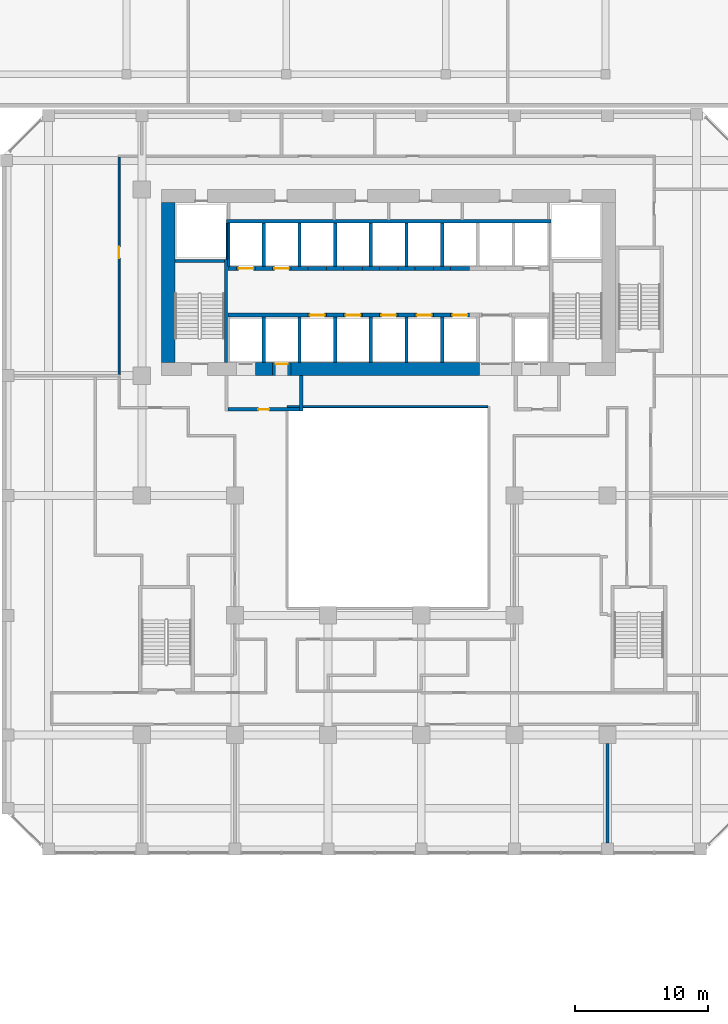
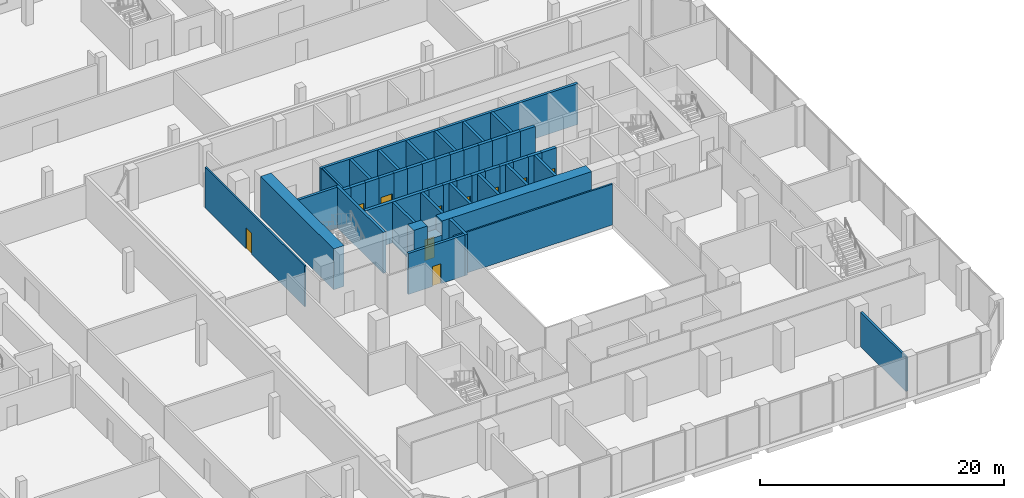
# One storey, part 18 of 36: 50 walls, 10 doors, 10 openings.
"""IFC4 building model written with IfcOpenShell, lengths in metres."""

from ifc_helpers import new_model, si_unit, direction, frame, frame_2d, origin, place, context, subcontext, project, spatial, rectangle, extrude, source, transform, mapped, material, layer, layer_set, type_object, element, fill, save


model = new_model("IFC4")

# Units and contexts
model_context = context("Model", 3, precision=1e-05, world=origin(), true_north=direction((0.0, 1.0)))
body_context = subcontext(model_context, "Body", "Model", "MODEL_VIEW")
ifc_project = project(units=[si_unit("LENGTHUNIT", "METRE"), si_unit("AREAUNIT", "SQUARE_METRE"), si_unit("VOLUMEUNIT", "CUBIC_METRE"), si_unit("PLANEANGLEUNIT", "RADIAN"), si_unit("MASSUNIT", "GRAM", prefix="KILO")], contexts=[model_context])

# Site, building, storey
site_placement = place(None, origin())
site = spatial("IfcSite", under=ifc_project, at=site_placement, CompositionType="ELEMENT")
building_placement = place(site_placement, origin())
building = spatial("IfcBuilding", under=site, at=building_placement, Name="Kilnfold Tower and Market Hall", CompositionType="ELEMENT")
storey_placement = place(building_placement, frame((0.0, 0.0, 18.0)))
storey = spatial("IfcBuildingStorey", under=building, at=storey_placement, Name="L03", CompositionType="ELEMENT", Elevation=18.0)

# Wall
ifc_material_1 = material(Name="Fire-resisting glazed screen")
ifc_layer_1 = layer(ifc_material_1, 0.14990234375)
ifc_layer_set_1 = layer_set([ifc_layer_1], Name="Fire-resisting glazed screen")
wall_type_1 = type_object("IfcWallType", Name="WALL ATRIUM 150", PredefinedType="PARTITIONING", material=ifc_layer_set_1)
wall_1_placement = place(storey_placement, frame((-6.574951171875, 5.675048828125, 0.0), z_axis=(0.0, 0.0, 1.0), x_axis=(1.0, 0.0, 0.0)))
element("IfcWall", 1, at=wall_1_placement, inside=storey, type_object=wall_type_1, Name="Partition LY04.68", PredefinedType="PARTITIONING", context=body_context, shape_type="SweptSolid", body=[
    extrude(rectangle(XDim=15.074951171875, YDim=0.14990234375, at=frame_2d((7.53759765625, 0.0))), origin(), (0.0, 0.0, 1.0), 4.10009765625),
])

# Wall, opening, door
ifc_material_2 = material(Name="Gypsum board on steel studs", Category="steel")
ifc_layer_2 = layer(ifc_material_2, 0.14990234375)
ifc_layer_set_2 = layer_set([ifc_layer_2], Name="Gypsum board on steel studs")
wall_type_2 = type_object("IfcWallType", Name="WALL CORRIDOR 150", PredefinedType="PARTITIONING", material=ifc_layer_set_2)
wall_2_placement = place(storey_placement, frame((-19.199951171875, 8.090087890625, 0.0), z_axis=(0.0, 0.0, 1.0), x_axis=(0.0, 1.0, 0.0)))
wall_2 = element("IfcWall", 2, at=wall_2_placement, inside=storey, type_object=wall_type_2, Name="Partition LY04.34", PredefinedType="PARTITIONING", context=body_context, shape_type="SweptSolid", body=[
    extrude(rectangle(XDim=16.3349609375, YDim=0.14990234375, at=frame_2d((8.16748046875, 0.0))), origin(), (0.0, 0.0, 1.0), 4.10009765625),
])
opening_1_placement = place(wall_2_placement, frame((8.719970703125, 0.0, 0.0)))
opening_1 = element("IfcOpeningElement", 3, at=opening_1_placement, cuts=wall_2, Name="Opening D2", PredefinedType="OPENING", context=body_context, shape_type="SweptSolid", body=[
    extrude(rectangle(XDim=0.89990234375, YDim=2.10009765625, at=frame_2d((0.449951171875, 1.050048828125))), frame((0.0, 0.0849609375, 0.0), z_axis=(0.0, -1.0, 0.0), x_axis=(1.0, 0.0, 0.0)), (0.0, 0.0, 1.0), 0.169921875),
])
ifc_material_3 = material(Name="Timber veneer door leaf in steel frame", Category="steel")
door_type_1 = type_object("IfcDoorType", Name="DOOR ROOM 900 X2100", OperationType="NOTDEFINED", PredefinedType="DOOR", material=ifc_material_3)
door_1_placement = place(opening_1_placement, origin())
door_1 = element("IfcDoor", 4, at=door_1_placement, inside=storey, type_object=door_type_1, Name="Door D2", OperationType="SINGLE_SWING_RIGHT", OverallHeight=2.10009765625, OverallWidth=0.89990234375, PredefinedType="DOOR", context=body_context, shape_type="SweptSolid", body=[
    extrude(rectangle(XDim=0.89990234375, YDim=2.10009765625, at=frame_2d((0.449951171875, 1.050048828125))), frame((0.0, 0.02490234375, 0.0), z_axis=(0.0, -1.0, 0.0), x_axis=(1.0, 0.0, 0.0)), (0.0, 0.0, 1.0), 0.050048828125),
])
fill(opening_1, door_1)

# Walls
ifc_material_4 = material(Name="Gypsum board on steel studs", Category="steel")
ifc_layer_3 = layer(ifc_material_4, 0.199951171875)
ifc_layer_set_3 = layer_set([ifc_layer_3], Name="Gypsum board on steel studs")
wall_type_3 = type_object("IfcWallType", Name="WALL PARTY 200", PredefinedType="PARTITIONING", material=ifc_layer_set_3)
wall_3_placement = place(storey_placement, frame((17.5, -27.10009765625, 0.0), z_axis=(0.0, 0.0, 1.0), x_axis=(0.0, 1.0, 0.0)))
element("IfcWall", 5, at=wall_3_placement, inside=storey, type_object=wall_type_3, Name="Partition LY04.37", PredefinedType="PARTITIONING", context=body_context, shape_type="SweptSolid", body=[
    extrude(rectangle(XDim=7.4501953125, YDim=0.199951171875, at=frame_2d((3.72509765625, 0.0))), origin(), (0.0, 0.0, 1.0), 3.449951171875),
])
ifc_material_5 = material(Name="Concrete C80", Category="concrete")
ifc_layer_4 = layer(ifc_material_5, 1.0)
ifc_layer_set_4 = layer_set([ifc_layer_4], Name="Concrete C80")
wall_type_4 = type_object("IfcWallType", Name="CORE WALL 1000 C80", PredefinedType="SHEAR", material=ifc_layer_set_4)
shared_shape_1 = source(origin(), body_context, "Body", "SweptSolid", [
    extrude(rectangle(XDim=1.280029296875, YDim=1.0, at=frame_2d((0.64013671875, 0.0))), origin(), (0.0, 0.0, 1.0), 4.10009765625),
])
wall_4_placement = place(storey_placement, frame((-8.969970703125, 8.5, 0.0), z_axis=(0.0, 0.0, 1.0), x_axis=(1.0, 0.0, 0.0)))
element("IfcWall", 6, at=wall_4_placement, inside=storey, type_object=wall_type_4, Name="Core outer wall south", PredefinedType="SHEAR", context=body_context, shape_type="MappedRepresentation", body=[
    mapped(shared_shape_1, transform((0.0, 0.0, 0.0))),
])
shared_shape_2 = source(origin(), body_context, "Body", "SweptSolid", [
    extrude(rectangle(XDim=14.179931640625, YDim=1.0, at=frame_2d((7.08984375, 0.0))), origin(), (0.0, 0.0, 1.0), 4.10009765625),
])
wall_5_placement = place(storey_placement, frame((-6.2900390625, 8.5, 0.0), z_axis=(0.0, 0.0, 1.0), x_axis=(1.0, 0.0, 0.0)))
element("IfcWall", 7, at=wall_5_placement, inside=storey, type_object=wall_type_4, Name="Core outer wall south", PredefinedType="SHEAR", context=body_context, shape_type="MappedRepresentation", body=[
    mapped(shared_shape_2, transform((0.0, 0.0, 0.0))),
])
shared_shape_3 = source(origin(), body_context, "Body", "SweptSolid", [
    extrude(rectangle(XDim=12.0, YDim=1.0, at=frame_2d((6.0, 0.0))), origin(), (0.0, 0.0, 1.0), 4.10009765625),
])
wall_6_placement = place(storey_placement, frame((-15.5, 9.0, 0.0), z_axis=(0.0, 0.0, 1.0), x_axis=(0.0, 1.0, 0.0)))
element("IfcWall", 8, at=wall_6_placement, inside=storey, type_object=wall_type_4, Name="Core outer wall west", PredefinedType="SHEAR", context=body_context, shape_type="MappedRepresentation", body=[
    mapped(shared_shape_3, transform((0.0, 0.0, 0.0))),
])
ifc_material_6 = material(Name="Concrete C80", Category="concrete")
ifc_layer_5 = layer(ifc_material_6, 0.25)
ifc_layer_set_5 = layer_set([ifc_layer_5], Name="Concrete C80")
wall_type_5 = type_object("IfcWallType", Name="CORE WALL 250 C80", PredefinedType="SHEAR", material=ifc_layer_set_5)
shared_shape_4 = source(origin(), body_context, "Body", "SweptSolid", [
    extrude(rectangle(XDim=7.75, YDim=0.25, at=frame_2d((3.875, 0.0))), origin(), (0.0, 0.0, 1.0), 4.10009765625),
])
wall_7_placement = place(storey_placement, frame((-11.175048828125, 9.0, 0.0), z_axis=(0.0, 0.0, 1.0), x_axis=(0.0, 1.0, 0.0)))
element("IfcWall", 9, at=wall_7_placement, inside=storey, type_object=wall_type_5, Name="Stair enclosure ST1", PredefinedType="SHEAR", context=body_context, shape_type="MappedRepresentation", body=[
    mapped(shared_shape_4, transform((0.0, 0.0, 0.0))),
])
shared_shape_5 = source(origin(), body_context, "Body", "SweptSolid", [
    extrude(rectangle(XDim=3.699951171875, YDim=0.25, at=frame_2d((1.85009765625, 0.0))), origin(), (0.0, 0.0, 1.0), 4.10009765625),
])
wall_8_placement = place(storey_placement, frame((-15.0, 16.625, 0.0), z_axis=(0.0, 0.0, 1.0), x_axis=(1.0, 0.0, 0.0)))
element("IfcWall", 10, at=wall_8_placement, inside=storey, type_object=wall_type_5, Name="Stair enclosure ST1", PredefinedType="SHEAR", context=body_context, shape_type="MappedRepresentation", body=[
    mapped(shared_shape_5, transform((0.0, 0.0, 0.0))),
])
ifc_material_7 = material(Name="Concrete C80", Category="concrete")
ifc_layer_6 = layer(ifc_material_7, 0.300048828125)
ifc_layer_set_6 = layer_set([ifc_layer_6], Name="Concrete C80")
wall_type_6 = type_object("IfcWallType", Name="CORE WALL 300 C80", PredefinedType="SHEAR", material=ifc_layer_set_6)
shared_shape_6 = source(origin(), body_context, "Body", "SweptSolid", [
    extrude(rectangle(XDim=6.0, YDim=0.300048828125, at=frame_2d((3.0, 0.0))), origin(), (0.0, 0.0, 1.0), 4.10009765625),
])
wall_9_placement = place(storey_placement, frame((-11.010009765625, 12.550048828125, 0.0), z_axis=(0.0, 0.0, 1.0), x_axis=(1.0, 0.0, 0.0)))
element("IfcWall", 11, at=wall_9_placement, inside=storey, type_object=wall_type_6, Name="Core spine wall", PredefinedType="SHEAR", context=body_context, shape_type="MappedRepresentation", body=[
    mapped(shared_shape_6, transform((0.0, 0.0, 0.0))),
])
shared_shape_7 = source(origin(), body_context, "Body", "SweptSolid", [
    extrude(rectangle(XDim=1.280029296875, YDim=0.300048828125, at=frame_2d((0.64013671875, 0.0))), origin(), (0.0, 0.0, 1.0), 4.10009765625),
])
for number, where, z_axis, x_axis, name in (
    (12, (-3.610107421875, 12.550048828125, 0.0), (0.0, 0.0, 1.0), (1.0, 0.0, 0.0), "Core spine wall"),
    (13, (-0.929931640625, 12.550048828125, 0.0), (0.0, 0.0, 1.0), (1.0, 0.0, 0.0), "Core spine wall"),
    (14, (1.75, 12.550048828125, 0.0), (0.0, 0.0, 1.0), (1.0, 0.0, 0.0), "Core spine wall"),
    (15, (4.429931640625, 12.550048828125, 0.0), (0.0, 0.0, 1.0), (1.0, 0.0, 0.0), "Core spine wall"),
    (16, (-8.969970703125, 16.050048828125, 0.0), (0.0, 0.0, 1.0), (1.0, 0.0, 0.0), "Core spine wall"),
    (17, (-6.2900390625, 16.050048828125, 0.0), (0.0, 0.0, 1.0), (1.0, 0.0, 0.0), "Core spine wall"),
    (18, (-3.610107421875, 16.050048828125, 0.0), (0.0, 0.0, 1.0), (1.0, 0.0, 0.0), "Core spine wall"),
    (19, (-0.929931640625, 16.050048828125, 0.0), (0.0, 0.0, 1.0), (1.0, 0.0, 0.0), "Core spine wall"),
    (20, (1.75, 16.050048828125, 0.0), (0.0, 0.0, 1.0), (1.0, 0.0, 0.0), "Core spine wall"),
    (21, (4.429931640625, 16.050048828125, 0.0), (0.0, 0.0, 1.0), (1.0, 0.0, 0.0), "Core spine wall"),
):
    element("IfcWall", number, at=place(storey_placement, frame(where, z_axis=z_axis, x_axis=x_axis)), inside=storey, type_object=wall_type_6, Name=name, PredefinedType="SHEAR", context=body_context, shape_type="MappedRepresentation", body=[
        mapped(shared_shape_7, transform((0.0, 0.0, 0.0))),
    ])
shared_shape_8 = source(origin(), body_context, "Body", "SweptSolid", [
    extrude(rectangle(XDim=0.639892578125, YDim=0.300048828125, at=frame_2d((0.31982421875, 0.0))), origin(), (0.0, 0.0, 1.0), 4.10009765625),
])
wall_10_placement = place(storey_placement, frame((-11.010009765625, 16.050048828125, 0.0), z_axis=(0.0, 0.0, 1.0), x_axis=(1.0, 0.0, 0.0)))
element("IfcWall", 22, at=wall_10_placement, inside=storey, type_object=wall_type_6, Name="Core spine wall", PredefinedType="SHEAR", context=body_context, shape_type="MappedRepresentation", body=[
    mapped(shared_shape_8, transform((0.0, 0.0, 0.0))),
])
ifc_material_8 = material(Name="Gypsum shaft wall system")
ifc_layer_7 = layer(ifc_material_8, 0.25)
ifc_layer_set_7 = layer_set([ifc_layer_7], Name="Gypsum shaft wall system")
wall_type_7 = type_object("IfcWallType", Name="LOBBY WALL 250", PredefinedType="PARTITIONING", material=ifc_layer_set_7)
shared_shape_9 = source(origin(), body_context, "Body", "SweptSolid", [
    extrude(rectangle(XDim=2.64990234375, YDim=0.25, at=frame_2d((1.324951171875, 0.0))), origin(), (0.0, 0.0, 1.0), 4.10009765625),
])
wall_11_placement = place(storey_placement, frame((-5.52490234375, 5.35009765625, 0.0), z_axis=(0.0, 0.0, 1.0), x_axis=(0.0, 1.0, 0.0)))
element("IfcWall", 23, at=wall_11_placement, inside=storey, type_object=wall_type_7, Name="Firefighting lobby wall", PredefinedType="PARTITIONING", context=body_context, shape_type="MappedRepresentation", body=[
    mapped(shared_shape_9, transform((0.0, 0.0, 0.0))),
])

# Wall, opening, door
shared_shape_10 = source(origin(), body_context, "Body", "SweptSolid", [
    extrude(rectangle(XDim=5.360107421875, YDim=0.25, at=frame_2d((2.68017578125, 0.0))), origin(), (0.0, 0.0, 1.0), 4.10009765625),
])
wall_12_placement = place(storey_placement, frame((-11.010009765625, 5.47509765625, 0.0), z_axis=(0.0, 0.0, 1.0), x_axis=(1.0, 0.0, 0.0)))
wall_12 = element("IfcWall", 24, at=wall_12_placement, inside=storey, type_object=wall_type_7, Name="Firefighting lobby wall", PredefinedType="PARTITIONING", context=body_context, shape_type="MappedRepresentation", body=[
    mapped(shared_shape_10, transform((0.0, 0.0, 0.0))),
])
opening_2_placement = place(wall_12_placement, frame((2.280029296875, 0.0, 0.0)))
opening_2 = element("IfcOpeningElement", 25, at=opening_2_placement, cuts=wall_12, Name="Opening VD1", PredefinedType="OPENING", context=body_context, shape_type="SweptSolid", body=[
    extrude(rectangle(XDim=0.800048828125, YDim=2.0, at=frame_2d((0.39990234375, 1.0))), frame((0.0, 0.135009765625, 0.0), z_axis=(0.0, -1.0, 0.0), x_axis=(1.0, 0.0, 0.0)), (0.0, 0.0, 1.0), 0.27001953125),
])
ifc_material_9 = material(Name="Steel door set with fire-resisting leaf", Category="steel")
door_type_2 = type_object("IfcDoorType", Name="FIREFIGHTING LOBBY DOOR 800X2000", OperationType="NOTDEFINED", PredefinedType="DOOR", material=ifc_material_9)
door_2_placement = place(opening_2_placement, origin())
door_2 = element("IfcDoor", 26, at=door_2_placement, inside=storey, type_object=door_type_2, Name="Firefighting lobby door", OperationType="SINGLE_SWING_LEFT", OverallHeight=2.0, OverallWidth=0.800048828125, PredefinedType="DOOR", context=body_context, shape_type="SweptSolid", body=[
    extrude(rectangle(XDim=0.800048828125, YDim=2.0, at=frame_2d((0.39990234375, 1.0))), frame((0.0, 0.02490234375, 0.0), z_axis=(0.0, -1.0, 0.0), x_axis=(1.0, 0.0, 0.0)), (0.0, 0.0, 1.0), 0.050048828125),
])
fill(opening_2, door_2)

# Walls
ifc_material_10 = material(Name="Gypsum shaft wall system")
ifc_layer_8 = layer(ifc_material_10, 0.25)
ifc_layer_set_8 = layer_set([ifc_layer_8], Name="Gypsum shaft wall system")
wall_type_8 = type_object("IfcWallType", Name="SHAFT WALL 250", PredefinedType="PARTITIONING", material=ifc_layer_set_8)
shared_shape_11 = source(origin(), body_context, "Body", "SweptSolid", [
    extrude(rectangle(XDim=3.39990234375, YDim=0.25, at=frame_2d((1.699951171875, 0.0))), origin(), (0.0, 0.0, 1.0), 4.10009765625),
])
for number, where, z_axis, x_axis, name in (
    (27, (2.389892578125, 9.0, 0.0), (0.0, 0.0, 1.0), (0.0, 1.0, 0.0), "Lift shaft wall"),
    (28, (5.070068359375, 9.0, 0.0), (0.0, 0.0, 1.0), (0.0, 1.0, 0.0), "Lift shaft wall"),
    (29, (-0.2900390625, 9.0, 0.0), (0.0, 0.0, 1.0), (0.0, 1.0, 0.0), "Lift shaft wall"),
    (30, (-2.969970703125, 9.0, 0.0), (0.0, 0.0, 1.0), (0.0, 1.0, 0.0), "Lift shaft wall"),
    (31, (-5.64990234375, 9.0, 0.0), (0.0, 0.0, 1.0), (0.0, 1.0, 0.0), "Lift shaft wall"),
    (32, (-8.330078125, 9.0, 0.0), (0.0, 0.0, 1.0), (0.0, 1.0, 0.0), "Lift shaft wall"),
):
    element("IfcWall", number, at=place(storey_placement, frame(where, z_axis=z_axis, x_axis=x_axis)), inside=storey, type_object=wall_type_8, Name=name, PredefinedType="PARTITIONING", context=body_context, shape_type="MappedRepresentation", body=[
        mapped(shared_shape_11, transform((0.0, 0.0, 0.0))),
    ])

# Wall, opening, door
ifc_material_11 = material(Name="Gypsum shaft wall system")
ifc_layer_9 = layer(ifc_material_11, 1.0)
ifc_layer_set_9 = layer_set([ifc_layer_9], Name="Gypsum shaft wall system")
wall_type_9 = type_object("IfcWallType", Name="LOBBY WALL 1000", PredefinedType="PARTITIONING", material=ifc_layer_set_9)
shared_shape_12 = source(origin(), body_context, "Body", "SweptSolid", [
    extrude(rectangle(XDim=1.39990234375, YDim=1.0, at=frame_2d((0.699951171875, 0.0))), origin(), (0.0, 0.0, 1.0), 2.699951171875),
])
wall_13_placement = place(storey_placement, frame((-7.68994140625, 8.5, 0.0), z_axis=(0.0, 0.0, 1.0), x_axis=(1.0, 0.0, 0.0)))
wall_13 = element("IfcWall", 33, at=wall_13_placement, inside=storey, type_object=wall_type_9, Name="Core wall infill", PredefinedType="PARTITIONING", context=body_context, shape_type="MappedRepresentation", body=[
    mapped(shared_shape_12, transform((0.0, 0.0, 0.0))),
])
opening_3_placement = place(wall_13_placement, frame((0.25, 0.0, 0.0)))
opening_3 = element("IfcOpeningElement", 34, at=opening_3_placement, cuts=wall_13, Name="Opening LD1", PredefinedType="OPENING", context=body_context, shape_type="SweptSolid", body=[
    extrude(rectangle(XDim=0.89990234375, YDim=2.10009765625, at=frame_2d((0.449951171875, 1.050048828125))), frame((0.0, 0.510009765625, 0.0), z_axis=(0.0, -1.0, 0.0), x_axis=(1.0, 0.0, 0.0)), (0.0, 0.0, 1.0), 1.02001953125),
])
ifc_material_12 = material(Name="Steel door set with fire-resisting leaf", Category="steel")
door_type_3 = type_object("IfcDoorType", Name="FIREFIGHTING LANDING DOOR 900X2100", OperationType="NOTDEFINED", PredefinedType="DOOR", material=ifc_material_12)
door_3_placement = place(opening_3_placement, origin())
door_3 = element("IfcDoor", 35, at=door_3_placement, inside=storey, type_object=door_type_3, Name="Landing door FF2", OperationType="SLIDING_TO_RIGHT", OverallHeight=2.10009765625, OverallWidth=0.89990234375, PredefinedType="DOOR", context=body_context, shape_type="SweptSolid", body=[
    extrude(rectangle(XDim=0.89990234375, YDim=2.10009765625, at=frame_2d((0.449951171875, 1.050048828125))), frame((0.0, 0.40478515625, 0.0), z_axis=(0.0, -1.0, 0.0), x_axis=(1.0, 0.0, 0.0)), (0.0, 0.0, 1.0), 0.050048828125),
])
fill(opening_3, door_3)

ifc_material_13 = material(Name="Gypsum shaft wall system")
ifc_layer_10 = layer(ifc_material_13, 0.300048828125)
ifc_layer_set_10 = layer_set([ifc_layer_10], Name="Gypsum shaft wall system")
wall_type_10 = type_object("IfcWallType", Name="SHAFT WALL 300", PredefinedType="PARTITIONING", material=ifc_layer_set_10)
shared_shape_13 = source(origin(), body_context, "Body", "SweptSolid", [
    extrude(rectangle(XDim=1.39990234375, YDim=0.300048828125, at=frame_2d((0.699951171875, 0.0))), origin(), (0.0, 0.0, 1.0), 4.10009765625),
])
wall_14_placement = place(storey_placement, frame((-5.010009765625, 12.550048828125, 0.0), z_axis=(0.0, 0.0, 1.0), x_axis=(1.0, 0.0, 0.0)))
wall_14 = element("IfcWall", 36, at=wall_14_placement, inside=storey, type_object=wall_type_10, Name="Lift shaft front wall", PredefinedType="PARTITIONING", context=body_context, shape_type="MappedRepresentation", body=[
    mapped(shared_shape_13, transform((0.0, 0.0, 0.0))),
])
opening_4_placement = place(wall_14_placement, frame((0.14990234375, 0.0, 0.0)))
opening_4 = element("IfcOpeningElement", 37, at=opening_4_placement, cuts=wall_14, Name="Opening LD2", PredefinedType="OPENING", context=body_context, shape_type="SweptSolid", body=[
    extrude(rectangle(XDim=1.10009765625, YDim=2.10009765625, at=frame_2d((0.550048828125, 1.050048828125))), frame((0.0, 0.16015625, 0.0), z_axis=(0.0, -1.0, 0.0), x_axis=(1.0, 0.0, 0.0)), (0.0, 0.0, 1.0), 0.320068359375),
])
ifc_material_14 = material(Name="Steel door set with fire-resisting leaf", Category="steel")
door_type_4 = type_object("IfcDoorType", Name="LANDING DOOR 1100X2100", OperationType="NOTDEFINED", PredefinedType="DOOR", material=ifc_material_14)
door_4_placement = place(opening_4_placement, origin())
door_4 = element("IfcDoor", 38, at=door_4_placement, inside=storey, type_object=door_type_4, Name="Landing door LR1", OperationType="DOUBLE_DOOR_SLIDING", OverallHeight=2.10009765625, OverallWidth=1.10009765625, PredefinedType="DOOR", context=body_context, shape_type="SweptSolid", body=[
    extrude(rectangle(XDim=1.10009765625, YDim=2.10009765625, at=frame_2d((0.550048828125, 1.050048828125))), frame((0.0, 0.02490234375, 0.0), z_axis=(0.0, -1.0, 0.0), x_axis=(1.0, 0.0, 0.0)), (0.0, 0.0, 1.0), 0.050048828125),
])
fill(opening_4, door_4)

wall_15_placement = place(storey_placement, frame((0.35009765625, 12.550048828125, 0.0), z_axis=(0.0, 0.0, 1.0), x_axis=(1.0, 0.0, 0.0)))
wall_15 = element("IfcWall", 39, at=wall_15_placement, inside=storey, type_object=wall_type_10, Name="Lift shaft front wall", PredefinedType="PARTITIONING", context=body_context, shape_type="MappedRepresentation", body=[
    mapped(shared_shape_13, transform((0.0, 0.0, 0.0))),
])
opening_5_placement = place(wall_15_placement, frame((0.14990234375, 0.0, 0.0)))
opening_5 = element("IfcOpeningElement", 40, at=opening_5_placement, cuts=wall_15, Name="Opening LD2", PredefinedType="OPENING", context=body_context, shape_type="SweptSolid", body=[
    extrude(rectangle(XDim=1.10009765625, YDim=2.10009765625, at=frame_2d((0.550048828125, 1.050048828125))), frame((0.0, 0.16015625, 0.0), z_axis=(0.0, -1.0, 0.0), x_axis=(1.0, 0.0, 0.0)), (0.0, 0.0, 1.0), 0.320068359375),
])
door_5_placement = place(opening_5_placement, origin())
door_5 = element("IfcDoor", 41, at=door_5_placement, inside=storey, type_object=door_type_4, Name="Landing door LR3", OperationType="DOUBLE_DOOR_SLIDING", OverallHeight=2.10009765625, OverallWidth=1.10009765625, PredefinedType="DOOR", context=body_context, shape_type="SweptSolid", body=[
    extrude(rectangle(XDim=1.10009765625, YDim=2.10009765625, at=frame_2d((0.550048828125, 1.050048828125))), frame((0.0, 0.02490234375, 0.0), z_axis=(0.0, -1.0, 0.0), x_axis=(1.0, 0.0, 0.0)), (0.0, 0.0, 1.0), 0.050048828125),
])
fill(opening_5, door_5)

wall_16_placement = place(storey_placement, frame((3.030029296875, 12.550048828125, 0.0), z_axis=(0.0, 0.0, 1.0), x_axis=(1.0, 0.0, 0.0)))
wall_16 = element("IfcWall", 42, at=wall_16_placement, inside=storey, type_object=wall_type_10, Name="Lift shaft front wall", PredefinedType="PARTITIONING", context=body_context, shape_type="MappedRepresentation", body=[
    mapped(shared_shape_13, transform((0.0, 0.0, 0.0))),
])
opening_6_placement = place(wall_16_placement, frame((0.14990234375, 0.0, 0.0)))
opening_6 = element("IfcOpeningElement", 43, at=opening_6_placement, cuts=wall_16, Name="Opening LD2", PredefinedType="OPENING", context=body_context, shape_type="SweptSolid", body=[
    extrude(rectangle(XDim=1.10009765625, YDim=2.10009765625, at=frame_2d((0.550048828125, 1.050048828125))), frame((0.0, 0.16015625, 0.0), z_axis=(0.0, -1.0, 0.0), x_axis=(1.0, 0.0, 0.0)), (0.0, 0.0, 1.0), 0.320068359375),
])
door_6_placement = place(opening_6_placement, origin())
door_6 = element("IfcDoor", 44, at=door_6_placement, inside=storey, type_object=door_type_4, Name="Landing door LR4", OperationType="DOUBLE_DOOR_SLIDING", OverallHeight=2.10009765625, OverallWidth=1.10009765625, PredefinedType="DOOR", context=body_context, shape_type="SweptSolid", body=[
    extrude(rectangle(XDim=1.10009765625, YDim=2.10009765625, at=frame_2d((0.550048828125, 1.050048828125))), frame((0.0, 0.02490234375, 0.0), z_axis=(0.0, -1.0, 0.0), x_axis=(1.0, 0.0, 0.0)), (0.0, 0.0, 1.0), 0.050048828125),
])
fill(opening_6, door_6)

wall_17_placement = place(storey_placement, frame((-7.68994140625, 16.050048828125, 0.0), z_axis=(0.0, 0.0, 1.0), x_axis=(1.0, 0.0, 0.0)))
wall_17 = element("IfcWall", 45, at=wall_17_placement, inside=storey, type_object=wall_type_10, Name="Lift shaft front wall", PredefinedType="PARTITIONING", context=body_context, shape_type="MappedRepresentation", body=[
    mapped(shared_shape_13, transform((0.0, 0.0, 0.0))),
])
opening_7_placement = place(wall_17_placement, frame((0.14990234375, 0.0, 0.0)))
opening_7 = element("IfcOpeningElement", 46, at=opening_7_placement, cuts=wall_17, Name="Opening LD2", PredefinedType="OPENING", context=body_context, shape_type="SweptSolid", body=[
    extrude(rectangle(XDim=1.10009765625, YDim=2.10009765625, at=frame_2d((0.550048828125, 1.050048828125))), frame((0.0, 0.16015625, 0.0), z_axis=(0.0, -1.0, 0.0), x_axis=(1.0, 0.0, 0.0)), (0.0, 0.0, 1.0), 0.320068359375),
])
door_7_placement = place(opening_7_placement, origin())
door_7 = element("IfcDoor", 47, at=door_7_placement, inside=storey, type_object=door_type_4, Name="Landing door LR8", OperationType="DOUBLE_DOOR_SLIDING", OverallHeight=2.10009765625, OverallWidth=1.10009765625, PredefinedType="DOOR", context=body_context, shape_type="SweptSolid", body=[
    extrude(rectangle(XDim=1.10009765625, YDim=2.10009765625, at=frame_2d((0.550048828125, 1.050048828125))), frame((0.0, 0.02490234375, 0.0), z_axis=(0.0, -1.0, 0.0), x_axis=(1.0, 0.0, 0.0)), (0.0, 0.0, 1.0), 0.050048828125),
])
fill(opening_7, door_7)

# Walls
for number, where, z_axis, x_axis, name in (
    (48, (-5.010009765625, 16.050048828125, 0.0), (0.0, 0.0, 1.0), (1.0, 0.0, 0.0), "Lift shaft front wall"),
    (49, (0.35009765625, 16.050048828125, 0.0), (0.0, 0.0, 1.0), (1.0, 0.0, 0.0), "Lift shaft front wall"),
    (50, (3.030029296875, 16.050048828125, 0.0), (0.0, 0.0, 1.0), (1.0, 0.0, 0.0), "Lift shaft front wall"),
):
    element("IfcWall", number, at=place(storey_placement, frame(where, z_axis=z_axis, x_axis=x_axis)), inside=storey, type_object=wall_type_10, Name=name, PredefinedType="PARTITIONING", context=body_context, shape_type="MappedRepresentation", body=[
        mapped(shared_shape_13, transform((0.0, 0.0, 0.0))),
    ])

# Wall, opening, door
shared_shape_14 = source(origin(), body_context, "Body", "SweptSolid", [
    extrude(rectangle(XDim=1.400146484375, YDim=0.300048828125, at=frame_2d((0.7001953125, 0.0))), origin(), (0.0, 0.0, 1.0), 4.10009765625),
])
wall_18_placement = place(storey_placement, frame((-2.330078125, 12.550048828125, 0.0), z_axis=(0.0, 0.0, 1.0), x_axis=(1.0, 0.0, 0.0)))
wall_18 = element("IfcWall", 51, at=wall_18_placement, inside=storey, type_object=wall_type_10, Name="Lift shaft front wall", PredefinedType="PARTITIONING", context=body_context, shape_type="MappedRepresentation", body=[
    mapped(shared_shape_14, transform((0.0, 0.0, 0.0))),
])
opening_8_placement = place(wall_18_placement, frame((0.14990234375, 0.0, 0.0)))
opening_8 = element("IfcOpeningElement", 52, at=opening_8_placement, cuts=wall_18, Name="Opening LD2", PredefinedType="OPENING", context=body_context, shape_type="SweptSolid", body=[
    extrude(rectangle(XDim=1.10009765625, YDim=2.10009765625, at=frame_2d((0.550048828125, 1.050048828125))), frame((0.0, 0.16015625, 0.0), z_axis=(0.0, -1.0, 0.0), x_axis=(1.0, 0.0, 0.0)), (0.0, 0.0, 1.0), 0.320068359375),
])
door_8_placement = place(opening_8_placement, origin())
door_8 = element("IfcDoor", 53, at=door_8_placement, inside=storey, type_object=door_type_4, Name="Landing door LR2", OperationType="DOUBLE_DOOR_SLIDING", OverallHeight=2.10009765625, OverallWidth=1.10009765625, PredefinedType="DOOR", context=body_context, shape_type="SweptSolid", body=[
    extrude(rectangle(XDim=1.10009765625, YDim=2.10009765625, at=frame_2d((0.550048828125, 1.050048828125))), frame((0.0, 0.02490234375, 0.0), z_axis=(0.0, -1.0, 0.0), x_axis=(1.0, 0.0, 0.0)), (0.0, 0.0, 1.0), 0.050048828125),
])
fill(opening_8, door_8)

wall_19_placement = place(storey_placement, frame((5.7099609375, 12.550048828125, 0.0), z_axis=(0.0, 0.0, 1.0), x_axis=(1.0, 0.0, 0.0)))
wall_19 = element("IfcWall", 54, at=wall_19_placement, inside=storey, type_object=wall_type_10, Name="Lift shaft front wall", PredefinedType="PARTITIONING", context=body_context, shape_type="MappedRepresentation", body=[
    mapped(shared_shape_14, transform((0.0, 0.0, 0.0))),
])
opening_9_placement = place(wall_19_placement, frame((0.14990234375, 0.0, 0.0)))
opening_9 = element("IfcOpeningElement", 55, at=opening_9_placement, cuts=wall_19, Name="Opening LD2", PredefinedType="OPENING", context=body_context, shape_type="SweptSolid", body=[
    extrude(rectangle(XDim=1.10009765625, YDim=2.10009765625, at=frame_2d((0.550048828125, 1.050048828125))), frame((0.0, 0.16015625, 0.0), z_axis=(0.0, -1.0, 0.0), x_axis=(1.0, 0.0, 0.0)), (0.0, 0.0, 1.0), 0.320068359375),
])
door_9_placement = place(opening_9_placement, origin())
door_9 = element("IfcDoor", 56, at=door_9_placement, inside=storey, type_object=door_type_4, Name="Landing door LR5", OperationType="DOUBLE_DOOR_SLIDING", OverallHeight=2.10009765625, OverallWidth=1.10009765625, PredefinedType="DOOR", context=body_context, shape_type="SweptSolid", body=[
    extrude(rectangle(XDim=1.10009765625, YDim=2.10009765625, at=frame_2d((0.550048828125, 1.050048828125))), frame((0.0, 0.02490234375, 0.0), z_axis=(0.0, -1.0, 0.0), x_axis=(1.0, 0.0, 0.0)), (0.0, 0.0, 1.0), 0.050048828125),
])
fill(opening_9, door_9)

wall_20_placement = place(storey_placement, frame((-10.3701171875, 16.050048828125, 0.0), z_axis=(0.0, 0.0, 1.0), x_axis=(1.0, 0.0, 0.0)))
wall_20 = element("IfcWall", 57, at=wall_20_placement, inside=storey, type_object=wall_type_10, Name="Lift shaft front wall", PredefinedType="PARTITIONING", context=body_context, shape_type="MappedRepresentation", body=[
    mapped(shared_shape_14, transform((0.0, 0.0, 0.0))),
])
opening_10_placement = place(wall_20_placement, frame((0.14990234375, 0.0, 0.0)))
opening_10 = element("IfcOpeningElement", 58, at=opening_10_placement, cuts=wall_20, Name="Opening LD2", PredefinedType="OPENING", context=body_context, shape_type="SweptSolid", body=[
    extrude(rectangle(XDim=1.10009765625, YDim=2.10009765625, at=frame_2d((0.550048828125, 1.050048828125))), frame((0.0, 0.16015625, 0.0), z_axis=(0.0, -1.0, 0.0), x_axis=(1.0, 0.0, 0.0)), (0.0, 0.0, 1.0), 0.320068359375),
])
door_10_placement = place(opening_10_placement, origin())
door_10 = element("IfcDoor", 59, at=door_10_placement, inside=storey, type_object=door_type_4, Name="Landing door LR7", OperationType="DOUBLE_DOOR_SLIDING", OverallHeight=2.10009765625, OverallWidth=1.10009765625, PredefinedType="DOOR", context=body_context, shape_type="SweptSolid", body=[
    extrude(rectangle(XDim=1.10009765625, YDim=2.10009765625, at=frame_2d((0.550048828125, 1.050048828125))), frame((0.0, 0.02490234375, 0.0), z_axis=(0.0, -1.0, 0.0), x_axis=(1.0, 0.0, 0.0)), (0.0, 0.0, 1.0), 0.050048828125),
])
fill(opening_10, door_10)

# Walls
for number, where, z_axis, x_axis, name in (
    (60, (-2.330078125, 16.050048828125, 0.0), (0.0, 0.0, 1.0), (1.0, 0.0, 0.0), "Lift shaft front wall"),
    (61, (5.7099609375, 16.050048828125, 0.0), (0.0, 0.0, 1.0), (1.0, 0.0, 0.0), "Lift shaft front wall"),
):
    element("IfcWall", number, at=place(storey_placement, frame(where, z_axis=z_axis, x_axis=x_axis)), inside=storey, type_object=wall_type_10, Name=name, PredefinedType="PARTITIONING", context=body_context, shape_type="MappedRepresentation", body=[
        mapped(shared_shape_14, transform((0.0, 0.0, 0.0))),
    ])
shared_shape_15 = source(origin(), body_context, "Body", "SweptSolid", [
    extrude(rectangle(XDim=24.3701171875, YDim=0.25, at=frame_2d((12.18505859375, 0.0))), origin(), (0.0, 0.0, 1.0), 4.10009765625),
])
wall_21_placement = place(storey_placement, frame((-11.135009765625, 19.60009765625, 0.0), z_axis=(0.0, 0.0, 1.0), x_axis=(1.0, 0.0, 0.0)))
element("IfcWall", 62, at=wall_21_placement, inside=storey, type_object=wall_type_8, Name="Lift shaft wall", PredefinedType="PARTITIONING", context=body_context, shape_type="MappedRepresentation", body=[
    mapped(shared_shape_15, transform((0.0, 0.0, 0.0))),
])
ifc_material_15 = material(Name="Gypsum shaft wall system")
ifc_layer_11 = layer(ifc_material_15, 0.1650390625)
ifc_layer_set_11 = layer_set([ifc_layer_11], Name="Gypsum shaft wall system")
wall_type_11 = type_object("IfcWallType", Name="SHAFT WALL 165", PredefinedType="PARTITIONING", material=ifc_layer_set_11)
shared_shape_16 = source(origin(), body_context, "Body", "SweptSolid", [
    extrude(rectangle(XDim=3.275146484375, YDim=0.1650390625, at=frame_2d((1.6376953125, 0.0))), origin(), (0.0, 0.0, 1.0), 4.10009765625),
])
wall_22_placement = place(storey_placement, frame((-10.967529296875, 16.199951171875, 0.0), z_axis=(0.0, 0.0, 1.0), x_axis=(0.0, 1.0, 0.0)))
element("IfcWall", 63, at=wall_22_placement, inside=storey, type_object=wall_type_11, Name="Lift shaft wall", PredefinedType="PARTITIONING", context=body_context, shape_type="MappedRepresentation", body=[
    mapped(shared_shape_16, transform((0.0, 0.0, 0.0))),
])
shared_shape_17 = source(origin(), body_context, "Body", "SweptSolid", [
    extrude(rectangle(XDim=3.275146484375, YDim=0.25, at=frame_2d((1.6376953125, 0.0))), origin(), (0.0, 0.0, 1.0), 4.10009765625),
])
for number, where, z_axis, x_axis, name in (
    (64, (2.389892578125, 16.199951171875, 0.0), (0.0, 0.0, 1.0), (0.0, 1.0, 0.0), "Lift shaft wall"),
    (65, (5.070068359375, 16.199951171875, 0.0), (0.0, 0.0, 1.0), (0.0, 1.0, 0.0), "Lift shaft wall"),
    (66, (-0.2900390625, 16.199951171875, 0.0), (0.0, 0.0, 1.0), (0.0, 1.0, 0.0), "Lift shaft wall"),
    (67, (-2.969970703125, 16.199951171875, 0.0), (0.0, 0.0, 1.0), (0.0, 1.0, 0.0), "Lift shaft wall"),
    (68, (-5.64990234375, 16.199951171875, 0.0), (0.0, 0.0, 1.0), (0.0, 1.0, 0.0), "Lift shaft wall"),
    (69, (-8.330078125, 16.199951171875, 0.0), (0.0, 0.0, 1.0), (0.0, 1.0, 0.0), "Lift shaft wall"),
):
    element("IfcWall", number, at=place(storey_placement, frame(where, z_axis=z_axis, x_axis=x_axis)), inside=storey, type_object=wall_type_8, Name=name, PredefinedType="PARTITIONING", context=body_context, shape_type="MappedRepresentation", body=[
        mapped(shared_shape_17, transform((0.0, 0.0, 0.0))),
    ])
ifc_material_16 = material(Name="Gypsum shaft wall system")
ifc_layer_12 = layer(ifc_material_16, 0.0849609375)
ifc_layer_set_12 = layer_set([ifc_layer_12], Name="Gypsum shaft wall system")
wall_type_12 = type_object("IfcWallType", Name="SHAFT WALL 85", PredefinedType="PARTITIONING", material=ifc_layer_set_12)
shared_shape_18 = source(origin(), body_context, "Body", "SweptSolid", [
    extrude(rectangle(XDim=2.72509765625, YDim=0.0849609375, at=frame_2d((1.362548828125, 0.0))), origin(), (0.0, 0.0, 1.0), 4.10009765625),
])
wall_23_placement = place(storey_placement, frame((-11.092529296875, 16.75, 0.0), z_axis=(0.0, 0.0, 1.0), x_axis=(0.0, 1.0, 0.0)))
element("IfcWall", 70, at=wall_23_placement, inside=storey, type_object=wall_type_12, Name="Lift shaft wall", PredefinedType="PARTITIONING", context=body_context, shape_type="MappedRepresentation", body=[
    mapped(shared_shape_18, transform((0.0, 0.0, 0.0))),
])

save(model, "model.ifc")
